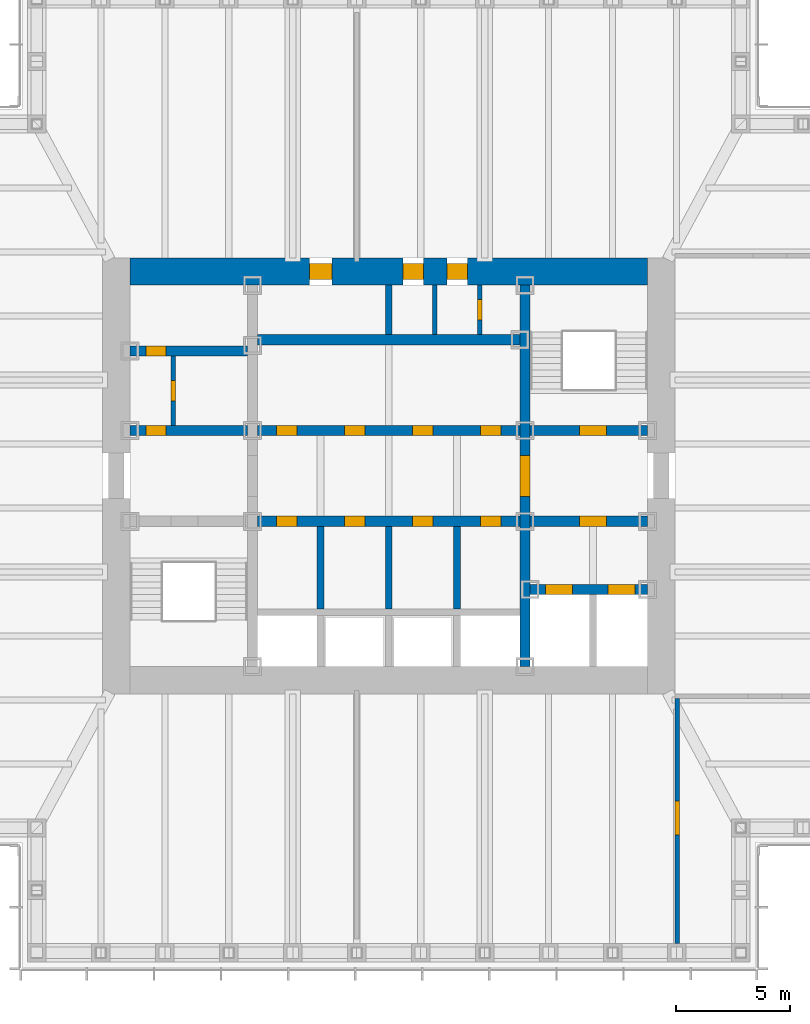
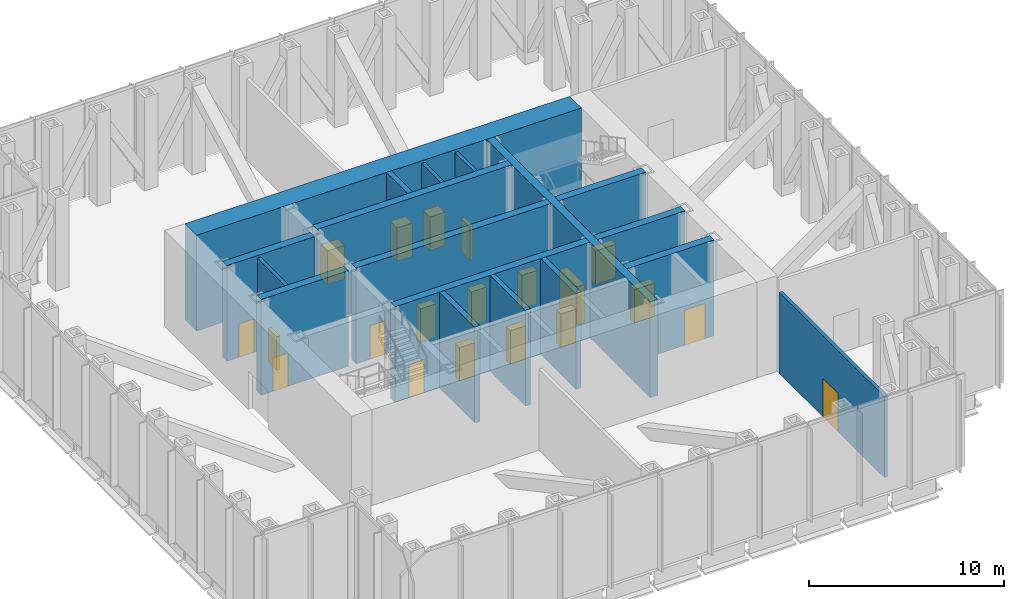
# One storey, part 7 of 12: 21 doors, 18 walls, 21 openings.
"""IFC4 building model written with IfcOpenShell, lengths in metres."""

from ifc_helpers import new_model, si_unit, direction, frame, frame_2d, origin, place, context, subcontext, project, spatial, rectangle, extrude, material, layer, layer_set, type_object, element, fill, save


model = new_model("IFC4")

# Units and contexts
model_context = context("Model", 3, precision=1e-05, world=origin(), true_north=direction((0.0, 1.0)))
body_context = subcontext(model_context, "Body", "Model", "MODEL_VIEW")
ifc_project = project(units=[si_unit("LENGTHUNIT", "METRE"), si_unit("AREAUNIT", "SQUARE_METRE"), si_unit("VOLUMEUNIT", "CUBIC_METRE"), si_unit("PLANEANGLEUNIT", "RADIAN"), si_unit("MASSUNIT", "GRAM", prefix="KILO")], contexts=[model_context])

# Site, building, storey
site_placement = place(None, origin())
site = spatial("IfcSite", under=ifc_project, at=site_placement, CompositionType="ELEMENT")
building_placement = place(site_placement, origin())
building = spatial("IfcBuilding", under=site, at=building_placement, Name="Daluyong Arena Tower", CompositionType="ELEMENT")
storey_placement = place(building_placement, frame((0.0, 0.0, 244.300048828125)))
storey = spatial("IfcBuildingStorey", under=building, at=storey_placement, Name="L55", CompositionType="ELEMENT", Elevation=244.300048828125)

# Wall, opening, door
ifc_material_1 = material(Name="Concrete fc' 45 MPa", Category="concrete")
ifc_layer_1 = layer(ifc_material_1, 0.449951171875)
ifc_layer_set_1 = layer_set([ifc_layer_1], Name="Concrete fc' 45 MPa")
wall_type_1 = type_object("IfcWallType", Name="Core inner wall 450", PredefinedType="SHEAR", material=ifc_layer_set_1)
wall_1_placement = place(storey_placement, frame((62.0, 71.60009765625, 0.0), z_axis=(0.0, 0.0, 1.0), x_axis=(0.0, 1.0, 0.0)))
wall_1 = element("IfcWall", 1, at=wall_1_placement, inside=storey, type_object=wall_type_1, Name="core inner wall at L55", PredefinedType="SHEAR", context=body_context, shape_type="SweptSolid", body=[
    extrude(rectangle(XDim=16.7998046875, YDim=0.449951171875, at=frame_2d((8.39990234375, 0.0))), origin(), (0.0, 0.0, 1.0), 6.0),
])
opening_1_placement = place(wall_1_placement, frame((7.5, 0.0, 0.0)))
opening_1 = element("IfcOpeningElement", 2, at=opening_1_placement, cuts=wall_1, Name="Opening 55021", PredefinedType="OPENING", context=body_context, shape_type="SweptSolid", body=[
    extrude(rectangle(XDim=1.800048828125, YDim=2.39990234375, at=frame_2d((0.89990234375, 1.199951171875))), frame((0.0, 0.23486328125, 0.0), z_axis=(0.0, -1.0, 0.0), x_axis=(1.0, 0.0, 0.0)), (0.0, 0.0, 1.0), 0.469970703125),
])
ifc_material_2 = material(Name="Steel door, fire rated", Category="steel")
door_type_1 = type_object("IfcDoorType", Name="Lift lobby opening door 1800", OperationType="DOUBLE_DOOR_SINGLE_SWING", PredefinedType="DOOR", material=ifc_material_2)
door_1_placement = place(opening_1_placement, origin())
door_1 = element("IfcDoor", 3, at=door_1_placement, inside=storey, type_object=door_type_1, Name="lift lobby door east 55021", OperationType="DOUBLE_DOOR_SINGLE_SWING", OverallHeight=2.39990234375, OverallWidth=1.800048828125, PredefinedType="DOOR", context=body_context, shape_type="SweptSolid", body=[
    extrude(rectangle(XDim=1.800048828125, YDim=2.39990234375, at=frame_2d((0.89990234375, 1.199951171875))), frame((0.0, 0.224609375, 0.0), z_axis=(0.0, -1.0, 0.0), x_axis=(1.0, 0.0, 0.0)), (0.0, 0.0, 1.0), 0.449462890625),
])
fill(opening_1, door_1)

wall_2_placement = place(storey_placement, frame((44.60009765625, 82.0, 0.0), z_axis=(0.0, 0.0, 1.0), x_axis=(1.0, 0.0, 0.0)))
wall_2 = element("IfcWall", 4, at=wall_2_placement, inside=storey, type_object=wall_type_1, Name="core inner wall at L55", PredefinedType="SHEAR", context=body_context, shape_type="SweptSolid", body=[
    extrude(rectangle(XDim=5.1748046875, YDim=0.449951171875, at=frame_2d((2.58740234375, 0.0))), origin(), (0.0, 0.0, 1.0), 6.0),
])
opening_2_placement = place(wall_2_placement, frame((0.699951171875, 0.0, 0.0)))
opening_2 = element("IfcOpeningElement", 5, at=opening_2_placement, cuts=wall_2, Name="Opening 55001", PredefinedType="OPENING", context=body_context, shape_type="SweptSolid", body=[
    extrude(rectangle(XDim=0.89990234375, YDim=2.10009765625, at=frame_2d((0.449951171875, 1.050048828125))), frame((0.0, 0.23486328125, 0.0), z_axis=(0.0, -1.0, 0.0), x_axis=(1.0, 0.0, 0.0)), (0.0, 0.0, 1.0), 0.469970703125),
])
ifc_material_3 = material(Name="Steel door, fire rated", Category="steel")
door_type_2 = type_object("IfcDoorType", Name="Core room door 900", OperationType="SINGLE_SWING_LEFT", PredefinedType="DOOR", material=ifc_material_3)
door_2_placement = place(opening_2_placement, origin())
door_2 = element("IfcDoor", 6, at=door_2_placement, inside=storey, type_object=door_type_2, Name="toilet lobby door 55001", OperationType="SINGLE_SWING_LEFT", OverallHeight=2.10009765625, OverallWidth=0.89990234375, PredefinedType="DOOR", context=body_context, shape_type="SweptSolid", body=[
    extrude(rectangle(XDim=0.89990234375, YDim=2.10009765625, at=frame_2d((0.449951171875, 1.050048828125))), frame((0.0, 0.224609375, 0.0), z_axis=(0.0, -1.0, 0.0), x_axis=(1.0, 0.0, 0.0)), (0.0, 0.0, 1.0), 0.449462890625),
])
fill(opening_2, door_2)

wall_3_placement = place(storey_placement, frame((44.60009765625, 85.5, 0.0), z_axis=(0.0, 0.0, 1.0), x_axis=(1.0, 0.0, 0.0)))
wall_3 = element("IfcWall", 7, at=wall_3_placement, inside=storey, type_object=wall_type_1, Name="core inner wall at L55", PredefinedType="SHEAR", context=body_context, shape_type="SweptSolid", body=[
    extrude(rectangle(XDim=5.1748046875, YDim=0.449951171875, at=frame_2d((2.58740234375, 0.0))), origin(), (0.0, 0.0, 1.0), 6.0),
])
opening_3_placement = place(wall_3_placement, frame((0.699951171875, 0.0, 0.0)))
opening_3 = element("IfcOpeningElement", 8, at=opening_3_placement, cuts=wall_3, Name="Opening 55003", PredefinedType="OPENING", context=body_context, shape_type="SweptSolid", body=[
    extrude(rectangle(XDim=0.89990234375, YDim=2.10009765625, at=frame_2d((0.449951171875, 1.050048828125))), frame((0.0, 0.23486328125, 0.0), z_axis=(0.0, -1.0, 0.0), x_axis=(1.0, 0.0, 0.0)), (0.0, 0.0, 1.0), 0.469970703125),
])
ifc_material_4 = material(Name="Timber door", Category="wood")
door_type_3 = type_object("IfcDoorType", Name="Toilet door 900", OperationType="SINGLE_SWING_RIGHT", PredefinedType="DOOR", material=ifc_material_4)
door_3_placement = place(opening_3_placement, origin())
door_3 = element("IfcDoor", 9, at=door_3_placement, inside=storey, type_object=door_type_3, Name="female toilet door 55003", OperationType="SINGLE_SWING_RIGHT", OverallHeight=2.10009765625, OverallWidth=0.89990234375, PredefinedType="DOOR", context=body_context, shape_type="SweptSolid", body=[
    extrude(rectangle(XDim=0.89990234375, YDim=2.10009765625, at=frame_2d((0.449951171875, 1.050048828125))), frame((0.0, 0.224609375, 0.0), z_axis=(0.0, -1.0, 0.0), x_axis=(1.0, 0.0, 0.0)), (0.0, 0.0, 1.0), 0.449462890625),
])
fill(opening_3, door_3)

# Wall, openings, doors
wall_4_placement = place(storey_placement, frame((62.22509765625, 75.0, 0.0), z_axis=(0.0, 0.0, 1.0), x_axis=(1.0, 0.0, 0.0)))
wall_4 = element("IfcWall", 10, at=wall_4_placement, inside=storey, type_object=wall_type_1, Name="core inner wall at L55", PredefinedType="SHEAR", context=body_context, shape_type="SweptSolid", body=[
    extrude(rectangle(XDim=5.1748046875, YDim=0.449951171875, at=frame_2d((2.58740234375, 0.0))), origin(), (0.0, 0.0, 1.0), 6.0),
])
opening_4_placement = place(wall_4_placement, frame((0.675048828125, 0.0, 0.0)))
opening_4 = element("IfcOpeningElement", 11, at=opening_4_placement, cuts=wall_4, Name="Opening 55023", PredefinedType="OPENING", context=body_context, shape_type="SweptSolid", body=[
    extrude(rectangle(XDim=1.199951171875, YDim=2.199951171875, at=frame_2d((0.60009765625, 1.10009765625))), frame((0.0, 0.23486328125, 0.0), z_axis=(0.0, -1.0, 0.0), x_axis=(1.0, 0.0, 0.0)), (0.0, 0.0, 1.0), 0.469970703125),
])
opening_5_placement = place(wall_4_placement, frame((3.425048828125, 0.0, 0.0)))
opening_5 = element("IfcOpeningElement", 12, at=opening_5_placement, cuts=wall_4, Name="Opening 55024", PredefinedType="OPENING", context=body_context, shape_type="SweptSolid", body=[
    extrude(rectangle(XDim=1.199951171875, YDim=2.199951171875, at=frame_2d((0.60009765625, 1.10009765625))), frame((0.0, 0.23486328125, 0.0), z_axis=(0.0, -1.0, 0.0), x_axis=(1.0, 0.0, 0.0)), (0.0, 0.0, 1.0), 0.469970703125),
])
ifc_material_5 = material(Name="Steel door, fire rated", Category="steel")
door_type_4 = type_object("IfcDoorType", Name="Firefighting lift landing door 1200", OperationType="SLIDING_TO_LEFT", PredefinedType="DOOR", material=ifc_material_5)
door_4_placement = place(opening_4_placement, origin())
door_4 = element("IfcDoor", 13, at=door_4_placement, inside=storey, type_object=door_type_4, Name="firefighting lift landing door F1 55023", OperationType="SLIDING_TO_LEFT", OverallHeight=2.199951171875, OverallWidth=1.199951171875, PredefinedType="DOOR", context=body_context, shape_type="SweptSolid", body=[
    extrude(rectangle(XDim=1.199951171875, YDim=2.199951171875, at=frame_2d((0.60009765625, 1.10009765625))), frame((0.0, 0.224609375, 0.0), z_axis=(0.0, -1.0, 0.0), x_axis=(1.0, 0.0, 0.0)), (0.0, 0.0, 1.0), 0.449462890625),
])
fill(opening_4, door_4)
door_5_placement = place(opening_5_placement, origin())
door_5 = element("IfcDoor", 14, at=door_5_placement, inside=storey, type_object=door_type_4, Name="firefighting lift landing door F2 55024", OperationType="SLIDING_TO_LEFT", OverallHeight=2.199951171875, OverallWidth=1.199951171875, PredefinedType="DOOR", context=body_context, shape_type="SweptSolid", body=[
    extrude(rectangle(XDim=1.199951171875, YDim=2.199951171875, at=frame_2d((0.60009765625, 1.10009765625))), frame((0.0, 0.224609375, 0.0), z_axis=(0.0, -1.0, 0.0), x_axis=(1.0, 0.0, 0.0)), (0.0, 0.0, 1.0), 0.449462890625),
])
fill(opening_5, door_5)

# Wall, opening, door
wall_5_placement = place(storey_placement, frame((62.22509765625, 78.0, 0.0), z_axis=(0.0, 0.0, 1.0), x_axis=(1.0, 0.0, 0.0)))
wall_5 = element("IfcWall", 15, at=wall_5_placement, inside=storey, type_object=wall_type_1, Name="core inner wall at L55", PredefinedType="SHEAR", context=body_context, shape_type="SweptSolid", body=[
    extrude(rectangle(XDim=5.1748046875, YDim=0.449951171875, at=frame_2d((2.58740234375, 0.0))), origin(), (0.0, 0.0, 1.0), 6.0),
])
opening_6_placement = place(wall_5_placement, frame((2.175048828125, 0.0, 0.0)))
opening_6 = element("IfcOpeningElement", 16, at=opening_6_placement, cuts=wall_5, Name="Opening 55022", PredefinedType="OPENING", context=body_context, shape_type="SweptSolid", body=[
    extrude(rectangle(XDim=1.199951171875, YDim=2.10009765625, at=frame_2d((0.60009765625, 1.050048828125))), frame((0.0, 0.23486328125, 0.0), z_axis=(0.0, -1.0, 0.0), x_axis=(1.0, 0.0, 0.0)), (0.0, 0.0, 1.0), 0.469970703125),
])
ifc_material_6 = material(Name="Steel door, fire rated", Category="steel")
door_type_5 = type_object("IfcDoorType", Name="Firefighting lobby door 1200", OperationType="SINGLE_SWING_RIGHT", PredefinedType="DOOR", material=ifc_material_6)
door_6_placement = place(opening_6_placement, origin())
door_6 = element("IfcDoor", 17, at=door_6_placement, inside=storey, type_object=door_type_5, Name="firefighting lobby door 55022", OperationType="SINGLE_SWING_RIGHT", OverallHeight=2.10009765625, OverallWidth=1.199951171875, PredefinedType="DOOR", context=body_context, shape_type="SweptSolid", body=[
    extrude(rectangle(XDim=1.199951171875, YDim=2.10009765625, at=frame_2d((0.60009765625, 1.050048828125))), frame((0.0, 0.224609375, 0.0), z_axis=(0.0, -1.0, 0.0), x_axis=(1.0, 0.0, 0.0)), (0.0, 0.0, 1.0), 0.449462890625),
])
fill(opening_6, door_6)

wall_6_placement = place(storey_placement, frame((62.22509765625, 82.0, 0.0), z_axis=(0.0, 0.0, 1.0), x_axis=(1.0, 0.0, 0.0)))
wall_6 = element("IfcWall", 18, at=wall_6_placement, inside=storey, type_object=wall_type_1, Name="core inner wall at L55", PredefinedType="SHEAR", context=body_context, shape_type="SweptSolid", body=[
    extrude(rectangle(XDim=5.1748046875, YDim=0.449951171875, at=frame_2d((2.58740234375, 0.0))), origin(), (0.0, 0.0, 1.0), 6.0),
])
opening_7_placement = place(wall_6_placement, frame((2.175048828125, 0.0, 0.0)))
opening_7 = element("IfcOpeningElement", 19, at=opening_7_placement, cuts=wall_6, Name="Opening 55017", PredefinedType="OPENING", context=body_context, shape_type="SweptSolid", body=[
    extrude(rectangle(XDim=1.199951171875, YDim=2.10009765625, at=frame_2d((0.60009765625, 1.050048828125))), frame((0.0, 0.23486328125, 0.0), z_axis=(0.0, -1.0, 0.0), x_axis=(1.0, 0.0, 0.0)), (0.0, 0.0, 1.0), 0.469970703125),
])
ifc_material_7 = material(Name="Steel door, fire rated", Category="steel")
door_type_6 = type_object("IfcDoorType", Name="Stair door 1200", OperationType="SINGLE_SWING_LEFT", PredefinedType="DOOR", material=ifc_material_7)
door_7_placement = place(opening_7_placement, origin())
door_7 = element("IfcDoor", 20, at=door_7_placement, inside=storey, type_object=door_type_6, Name="stair B door 55017", OperationType="SINGLE_SWING_LEFT", OverallHeight=2.10009765625, OverallWidth=1.199951171875, PredefinedType="DOOR", context=body_context, shape_type="SweptSolid", body=[
    extrude(rectangle(XDim=1.199951171875, YDim=2.10009765625, at=frame_2d((0.60009765625, 1.050048828125))), frame((0.0, 0.224609375, 0.0), z_axis=(0.0, -1.0, 0.0), x_axis=(1.0, 0.0, 0.0)), (0.0, 0.0, 1.0), 0.449462890625),
])
fill(opening_7, door_7)

# Wall, openings, doors
wall_7_placement = place(storey_placement, frame((50.22509765625, 78.0, 0.0), z_axis=(0.0, 0.0, 1.0), x_axis=(1.0, 0.0, 0.0)))
wall_7 = element("IfcWall", 21, at=wall_7_placement, inside=storey, type_object=wall_type_1, Name="core inner wall at L55", PredefinedType="SHEAR", context=body_context, shape_type="SweptSolid", body=[
    extrude(rectangle(XDim=11.5498046875, YDim=0.449951171875, at=frame_2d((5.77490234375, 0.0))), origin(), (0.0, 0.0, 1.0), 6.0),
])
opening_8_placement = place(wall_7_placement, frame((0.824951171875, 0.0, 0.0)))
opening_8 = element("IfcOpeningElement", 22, at=opening_8_placement, cuts=wall_7, Name="Opening 55008", PredefinedType="OPENING", context=body_context, shape_type="SweptSolid", body=[
    extrude(rectangle(XDim=0.89990234375, YDim=2.10009765625, at=frame_2d((0.449951171875, 1.050048828125))), frame((0.0, 0.23486328125, 0.0), z_axis=(0.0, -1.0, 0.0), x_axis=(1.0, 0.0, 0.0)), (0.0, 0.0, 1.0), 0.469970703125),
])
opening_9_placement = place(wall_7_placement, frame((3.824951171875, 0.0, 0.0)))
opening_9 = element("IfcOpeningElement", 23, at=opening_9_placement, cuts=wall_7, Name="Opening 55009", PredefinedType="OPENING", context=body_context, shape_type="SweptSolid", body=[
    extrude(rectangle(XDim=0.89990234375, YDim=2.10009765625, at=frame_2d((0.449951171875, 1.050048828125))), frame((0.0, 0.23486328125, 0.0), z_axis=(0.0, -1.0, 0.0), x_axis=(1.0, 0.0, 0.0)), (0.0, 0.0, 1.0), 0.469970703125),
])
opening_10_placement = place(wall_7_placement, frame((6.824951171875, 0.0, 0.0)))
opening_10 = element("IfcOpeningElement", 24, at=opening_10_placement, cuts=wall_7, Name="Opening 55010", PredefinedType="OPENING", context=body_context, shape_type="SweptSolid", body=[
    extrude(rectangle(XDim=0.89990234375, YDim=2.10009765625, at=frame_2d((0.449951171875, 1.050048828125))), frame((0.0, 0.23486328125, 0.0), z_axis=(0.0, -1.0, 0.0), x_axis=(1.0, 0.0, 0.0)), (0.0, 0.0, 1.0), 0.469970703125),
])
opening_11_placement = place(wall_7_placement, frame((9.824951171875, 0.0, 0.0)))
opening_11 = element("IfcOpeningElement", 25, at=opening_11_placement, cuts=wall_7, Name="Opening 55011", PredefinedType="OPENING", context=body_context, shape_type="SweptSolid", body=[
    extrude(rectangle(XDim=0.89990234375, YDim=2.10009765625, at=frame_2d((0.449951171875, 1.050048828125))), frame((0.0, 0.23486328125, 0.0), z_axis=(0.0, -1.0, 0.0), x_axis=(1.0, 0.0, 0.0)), (0.0, 0.0, 1.0), 0.469970703125),
])
ifc_material_8 = material(Name="Steel door, fire rated", Category="steel")
door_type_7 = type_object("IfcDoorType", Name="Core store door 900", OperationType="SINGLE_SWING_LEFT", PredefinedType="DOOR", material=ifc_material_8)
door_8_placement = place(opening_10_placement, origin())
door_8 = element("IfcDoor", 26, at=door_8_placement, inside=storey, type_object=door_type_7, Name="maintenance store door 55010", OperationType="SINGLE_SWING_LEFT", OverallHeight=2.10009765625, OverallWidth=0.89990234375, PredefinedType="DOOR", context=body_context, shape_type="SweptSolid", body=[
    extrude(rectangle(XDim=0.89990234375, YDim=2.10009765625, at=frame_2d((0.449951171875, 1.050048828125))), frame((0.0, 0.224609375, 0.0), z_axis=(0.0, -1.0, 0.0), x_axis=(1.0, 0.0, 0.0)), (0.0, 0.0, 1.0), 0.449462890625),
])
fill(opening_10, door_8)
door_9_placement = place(opening_11_placement, origin())
door_9 = element("IfcDoor", 27, at=door_9_placement, inside=storey, type_object=door_type_7, Name="plant spares store door 55011", OperationType="SINGLE_SWING_LEFT", OverallHeight=2.10009765625, OverallWidth=0.89990234375, PredefinedType="DOOR", context=body_context, shape_type="SweptSolid", body=[
    extrude(rectangle(XDim=0.89990234375, YDim=2.10009765625, at=frame_2d((0.449951171875, 1.050048828125))), frame((0.0, 0.224609375, 0.0), z_axis=(0.0, -1.0, 0.0), x_axis=(1.0, 0.0, 0.0)), (0.0, 0.0, 1.0), 0.449462890625),
])
fill(opening_11, door_9)
ifc_material_9 = material(Name="Steel door, fire rated", Category="steel")
door_type_8 = type_object("IfcDoorType", Name="Plant room door 900", OperationType="SINGLE_SWING_LEFT", PredefinedType="DOOR", material=ifc_material_9)
door_10_placement = place(opening_8_placement, origin())
door_10 = element("IfcDoor", 28, at=door_10_placement, inside=storey, type_object=door_type_8, Name="electrical switch room door 55008", OperationType="SINGLE_SWING_LEFT", OverallHeight=2.10009765625, OverallWidth=0.89990234375, PredefinedType="DOOR", context=body_context, shape_type="SweptSolid", body=[
    extrude(rectangle(XDim=0.89990234375, YDim=2.10009765625, at=frame_2d((0.449951171875, 1.050048828125))), frame((0.0, 0.224609375, 0.0), z_axis=(0.0, -1.0, 0.0), x_axis=(1.0, 0.0, 0.0)), (0.0, 0.0, 1.0), 0.449462890625),
])
fill(opening_8, door_10)
door_11_placement = place(opening_9_placement, origin())
door_11 = element("IfcDoor", 29, at=door_11_placement, inside=storey, type_object=door_type_8, Name="comms room door 55009", OperationType="SINGLE_SWING_LEFT", OverallHeight=2.10009765625, OverallWidth=0.89990234375, PredefinedType="DOOR", context=body_context, shape_type="SweptSolid", body=[
    extrude(rectangle(XDim=0.89990234375, YDim=2.10009765625, at=frame_2d((0.449951171875, 1.050048828125))), frame((0.0, 0.224609375, 0.0), z_axis=(0.0, -1.0, 0.0), x_axis=(1.0, 0.0, 0.0)), (0.0, 0.0, 1.0), 0.449462890625),
])
fill(opening_9, door_11)

wall_8_placement = place(storey_placement, frame((50.22509765625, 82.0, 0.0), z_axis=(0.0, 0.0, 1.0), x_axis=(1.0, 0.0, 0.0)))
wall_8 = element("IfcWall", 30, at=wall_8_placement, inside=storey, type_object=wall_type_1, Name="core inner wall at L55", PredefinedType="SHEAR", context=body_context, shape_type="SweptSolid", body=[
    extrude(rectangle(XDim=11.5498046875, YDim=0.449951171875, at=frame_2d((5.77490234375, 0.0))), origin(), (0.0, 0.0, 1.0), 6.0),
])
opening_12_placement = place(wall_8_placement, frame((0.824951171875, 0.0, 0.0)))
opening_12 = element("IfcOpeningElement", 31, at=opening_12_placement, cuts=wall_8, Name="Opening 55012", PredefinedType="OPENING", context=body_context, shape_type="SweptSolid", body=[
    extrude(rectangle(XDim=0.89990234375, YDim=2.10009765625, at=frame_2d((0.449951171875, 1.050048828125))), frame((0.0, 0.23486328125, 0.0), z_axis=(0.0, -1.0, 0.0), x_axis=(1.0, 0.0, 0.0)), (0.0, 0.0, 1.0), 0.469970703125),
])
opening_13_placement = place(wall_8_placement, frame((3.824951171875, 0.0, 0.0)))
opening_13 = element("IfcOpeningElement", 32, at=opening_13_placement, cuts=wall_8, Name="Opening 55013", PredefinedType="OPENING", context=body_context, shape_type="SweptSolid", body=[
    extrude(rectangle(XDim=0.89990234375, YDim=2.10009765625, at=frame_2d((0.449951171875, 1.050048828125))), frame((0.0, 0.23486328125, 0.0), z_axis=(0.0, -1.0, 0.0), x_axis=(1.0, 0.0, 0.0)), (0.0, 0.0, 1.0), 0.469970703125),
])
opening_14_placement = place(wall_8_placement, frame((6.824951171875, 0.0, 0.0)))
opening_14 = element("IfcOpeningElement", 33, at=opening_14_placement, cuts=wall_8, Name="Opening 55014", PredefinedType="OPENING", context=body_context, shape_type="SweptSolid", body=[
    extrude(rectangle(XDim=0.89990234375, YDim=2.10009765625, at=frame_2d((0.449951171875, 1.050048828125))), frame((0.0, 0.23486328125, 0.0), z_axis=(0.0, -1.0, 0.0), x_axis=(1.0, 0.0, 0.0)), (0.0, 0.0, 1.0), 0.469970703125),
])
opening_15_placement = place(wall_8_placement, frame((9.824951171875, 0.0, 0.0)))
opening_15 = element("IfcOpeningElement", 34, at=opening_15_placement, cuts=wall_8, Name="Opening 55015", PredefinedType="OPENING", context=body_context, shape_type="SweptSolid", body=[
    extrude(rectangle(XDim=0.89990234375, YDim=2.10009765625, at=frame_2d((0.449951171875, 1.050048828125))), frame((0.0, 0.23486328125, 0.0), z_axis=(0.0, -1.0, 0.0), x_axis=(1.0, 0.0, 0.0)), (0.0, 0.0, 1.0), 0.469970703125),
])
door_12_placement = place(opening_12_placement, origin())
door_12 = element("IfcDoor", 35, at=door_12_placement, inside=storey, type_object=door_type_8, Name="stair a pressurisation plant room door 55012", OperationType="SINGLE_SWING_LEFT", OverallHeight=2.10009765625, OverallWidth=0.89990234375, PredefinedType="DOOR", context=body_context, shape_type="SweptSolid", body=[
    extrude(rectangle(XDim=0.89990234375, YDim=2.10009765625, at=frame_2d((0.449951171875, 1.050048828125))), frame((0.0, 0.224609375, 0.0), z_axis=(0.0, -1.0, 0.0), x_axis=(1.0, 0.0, 0.0)), (0.0, 0.0, 1.0), 0.449462890625),
])
fill(opening_12, door_12)
door_13_placement = place(opening_13_placement, origin())
door_13 = element("IfcDoor", 36, at=door_13_placement, inside=storey, type_object=door_type_8, Name="lobby pressurisation plant room door 55013", OperationType="SINGLE_SWING_LEFT", OverallHeight=2.10009765625, OverallWidth=0.89990234375, PredefinedType="DOOR", context=body_context, shape_type="SweptSolid", body=[
    extrude(rectangle(XDim=0.89990234375, YDim=2.10009765625, at=frame_2d((0.449951171875, 1.050048828125))), frame((0.0, 0.224609375, 0.0), z_axis=(0.0, -1.0, 0.0), x_axis=(1.0, 0.0, 0.0)), (0.0, 0.0, 1.0), 0.449462890625),
])
fill(opening_13, door_13)
door_14_placement = place(opening_14_placement, origin())
door_14 = element("IfcDoor", 37, at=door_14_placement, inside=storey, type_object=door_type_8, Name="lift shaft pressurisation plant room door 55014", OperationType="SINGLE_SWING_LEFT", OverallHeight=2.10009765625, OverallWidth=0.89990234375, PredefinedType="DOOR", context=body_context, shape_type="SweptSolid", body=[
    extrude(rectangle(XDim=0.89990234375, YDim=2.10009765625, at=frame_2d((0.449951171875, 1.050048828125))), frame((0.0, 0.224609375, 0.0), z_axis=(0.0, -1.0, 0.0), x_axis=(1.0, 0.0, 0.0)), (0.0, 0.0, 1.0), 0.449462890625),
])
fill(opening_14, door_14)
door_15_placement = place(opening_15_placement, origin())
door_15 = element("IfcDoor", 38, at=door_15_placement, inside=storey, type_object=door_type_8, Name="stair b pressurisation plant room door 55015", OperationType="SINGLE_SWING_LEFT", OverallHeight=2.10009765625, OverallWidth=0.89990234375, PredefinedType="DOOR", context=body_context, shape_type="SweptSolid", body=[
    extrude(rectangle(XDim=0.89990234375, YDim=2.10009765625, at=frame_2d((0.449951171875, 1.050048828125))), frame((0.0, 0.224609375, 0.0), z_axis=(0.0, -1.0, 0.0), x_axis=(1.0, 0.0, 0.0)), (0.0, 0.0, 1.0), 0.449462890625),
])
fill(opening_15, door_15)

# Wall
wall_9_placement = place(storey_placement, frame((50.22509765625, 86.0, 0.0), z_axis=(0.0, 0.0, 1.0), x_axis=(1.0, 0.0, 0.0)))
element("IfcWall", 39, at=wall_9_placement, inside=storey, type_object=wall_type_1, Name="core inner wall at L55", PredefinedType="SHEAR", context=body_context, shape_type="SweptSolid", body=[
    extrude(rectangle(XDim=11.5498046875, YDim=0.449951171875, at=frame_2d((5.77490234375, 0.0))), origin(), (0.0, 0.0, 1.0), 6.0),
])

# Wall, openings, doors
ifc_material_10 = material(Name="Concrete fc' 60 MPa", Category="concrete")
ifc_layer_2 = layer(ifc_material_10, 1.199951171875)
ifc_layer_set_2 = layer_set([ifc_layer_2], Name="Concrete fc' 60 MPa")
wall_type_2 = type_object("IfcWallType", Name="Core wall 1200", PredefinedType="SHEAR", material=ifc_layer_set_2)
wall_10_placement = place(storey_placement, frame((44.60009765625, 89.0, 0.0), z_axis=(0.0, 0.0, 1.0), x_axis=(1.0, 0.0, 0.0)))
wall_10 = element("IfcWall", 40, at=wall_10_placement, inside=storey, type_object=wall_type_2, Name="core wall at L55", PredefinedType="SHEAR", context=body_context, shape_type="SweptSolid", body=[
    extrude(rectangle(XDim=22.7998046875, YDim=1.199951171875, at=frame_2d((11.39990234375, 0.0))), origin(), (0.0, 0.0, 1.0), 6.0),
])
opening_16_placement = place(wall_10_placement, frame((7.89990234375, 0.0, 0.0)))
opening_16 = element("IfcOpeningElement", 41, at=opening_16_placement, cuts=wall_10, Name="Opening 55004", PredefinedType="OPENING", context=body_context, shape_type="SweptSolid", body=[
    extrude(rectangle(XDim=1.0, YDim=2.10009765625, at=frame_2d((0.5, 1.050048828125))), frame((0.0, 0.60986328125, 0.0), z_axis=(0.0, -1.0, 0.0), x_axis=(1.0, 0.0, 0.0)), (0.0, 0.0, 1.0), 1.219970703125),
])
opening_17_placement = place(wall_10_placement, frame((12.02490234375, 0.0, 0.0)))
opening_17 = element("IfcOpeningElement", 42, at=opening_17_placement, cuts=wall_10, Name="Opening 55005", PredefinedType="OPENING", context=body_context, shape_type="SweptSolid", body=[
    extrude(rectangle(XDim=0.89990234375, YDim=2.10009765625, at=frame_2d((0.449951171875, 1.050048828125))), frame((0.0, 0.60986328125, 0.0), z_axis=(0.0, -1.0, 0.0), x_axis=(1.0, 0.0, 0.0)), (0.0, 0.0, 1.0), 1.219970703125),
])
opening_18_placement = place(wall_10_placement, frame((13.96240234375, 0.0, 0.0)))
opening_18 = element("IfcOpeningElement", 43, at=opening_18_placement, cuts=wall_10, Name="Opening 55006", PredefinedType="OPENING", context=body_context, shape_type="SweptSolid", body=[
    extrude(rectangle(XDim=0.89990234375, YDim=2.10009765625, at=frame_2d((0.449951171875, 1.050048828125))), frame((0.0, 0.60986328125, 0.0), z_axis=(0.0, -1.0, 0.0), x_axis=(1.0, 0.0, 0.0)), (0.0, 0.0, 1.0), 1.219970703125),
])
ifc_material_11 = material(Name="Timber door", Category="wood")
door_type_9 = type_object("IfcDoorType", Name="Accessible toilet door 1000", OperationType="SINGLE_SWING_LEFT", PredefinedType="DOOR", material=ifc_material_11)
door_16_placement = place(opening_16_placement, origin())
door_16 = element("IfcDoor", 44, at=door_16_placement, inside=storey, type_object=door_type_9, Name="accessible toilet door 55004", OperationType="SINGLE_SWING_LEFT", OverallHeight=2.10009765625, OverallWidth=1.0, PredefinedType="DOOR", context=body_context, shape_type="SweptSolid", body=[
    extrude(rectangle(XDim=1.0, YDim=2.10009765625, at=frame_2d((0.5, 1.050048828125))), frame((0.0, 0.35009765625, 0.0), z_axis=(0.0, -1.0, 0.0), x_axis=(1.0, 0.0, 0.0)), (0.0, 0.0, 1.0), 0.699951171875),
])
fill(opening_16, door_16)
door_17_placement = place(opening_17_placement, origin())
door_17 = element("IfcDoor", 45, at=door_17_placement, inside=storey, type_object=door_type_7, Name="cleaner's store door 55005", OperationType="SINGLE_SWING_LEFT", OverallHeight=2.10009765625, OverallWidth=0.89990234375, PredefinedType="DOOR", context=body_context, shape_type="SweptSolid", body=[
    extrude(rectangle(XDim=0.89990234375, YDim=2.10009765625, at=frame_2d((0.449951171875, 1.050048828125))), frame((0.0, 0.35009765625, 0.0), z_axis=(0.0, -1.0, 0.0), x_axis=(1.0, 0.0, 0.0)), (0.0, 0.0, 1.0), 0.699951171875),
])
fill(opening_17, door_17)
door_18_placement = place(opening_18_placement, origin())
door_18 = element("IfcDoor", 46, at=door_18_placement, inside=storey, type_object=door_type_7, Name="facilities store door 55006", OperationType="SINGLE_SWING_LEFT", OverallHeight=2.10009765625, OverallWidth=0.89990234375, PredefinedType="DOOR", context=body_context, shape_type="SweptSolid", body=[
    extrude(rectangle(XDim=0.89990234375, YDim=2.10009765625, at=frame_2d((0.449951171875, 1.050048828125))), frame((0.0, 0.35009765625, 0.0), z_axis=(0.0, -1.0, 0.0), x_axis=(1.0, 0.0, 0.0)), (0.0, 0.0, 1.0), 0.699951171875),
])
fill(opening_18, door_18)

# Wall, opening, door
ifc_material_12 = material(Name="Concrete block partition, fire rated", Category="concrete")
ifc_layer_3 = layer(ifc_material_12, 0.199951171875)
ifc_layer_set_3 = layer_set([ifc_layer_3], Name="Concrete block partition, fire rated")
wall_type_3 = type_object("IfcWallType", Name="Fire-rated partition 200", PredefinedType="PARTITIONING", material=ifc_layer_set_3)
wall_11_placement = place(storey_placement, frame((46.5, 82.22509765625, 0.0), z_axis=(0.0, 0.0, 1.0), x_axis=(0.0, 1.0, 0.0)))
wall_11 = element("IfcWall", 47, at=wall_11_placement, inside=storey, type_object=wall_type_3, Name="toilet lobby partition at L55", PredefinedType="PARTITIONING", context=body_context, shape_type="SweptSolid", body=[
    extrude(rectangle(XDim=3.0498046875, YDim=0.199951171875, at=frame_2d((1.52490234375, 0.0))), origin(), (0.0, 0.0, 1.0), 5.83984375),
])
opening_19_placement = place(wall_11_placement, frame((1.074951171875, 0.0, 0.0)))
opening_19 = element("IfcOpeningElement", 48, at=opening_19_placement, cuts=wall_11, Name="Opening 55002", PredefinedType="OPENING", context=body_context, shape_type="SweptSolid", body=[
    extrude(rectangle(XDim=0.89990234375, YDim=2.10009765625, at=frame_2d((0.449951171875, 1.050048828125))), frame((0.0, 0.10986328125, 0.0), z_axis=(0.0, -1.0, 0.0), x_axis=(1.0, 0.0, 0.0)), (0.0, 0.0, 1.0), 0.219970703125),
])
door_19_placement = place(opening_19_placement, origin())
door_19 = element("IfcDoor", 49, at=door_19_placement, inside=storey, type_object=door_type_3, Name="male toilet door 55002", OperationType="SINGLE_SWING_RIGHT", OverallHeight=2.10009765625, OverallWidth=0.89990234375, PredefinedType="DOOR", context=body_context, shape_type="SweptSolid", body=[
    extrude(rectangle(XDim=0.89990234375, YDim=2.10009765625, at=frame_2d((0.449951171875, 1.050048828125))), frame((0.0, 0.099609375, 0.0), z_axis=(0.0, -1.0, 0.0), x_axis=(1.0, 0.0, 0.0)), (0.0, 0.0, 1.0), 0.199462890625),
])
fill(opening_19, door_19)

wall_12_placement = place(storey_placement, frame((60.0, 86.22509765625, 0.0), z_axis=(0.0, 0.0, 1.0), x_axis=(0.0, 1.0, 0.0)))
wall_12 = element("IfcWall", 50, at=wall_12_placement, inside=storey, type_object=wall_type_3, Name="electrical riser enclosure at L55", PredefinedType="PARTITIONING", context=body_context, shape_type="SweptSolid", body=[
    extrude(rectangle(XDim=2.1748046875, YDim=0.199951171875, at=frame_2d((1.08740234375, 0.0))), origin(), (0.0, 0.0, 1.0), 5.83984375),
])
opening_20_placement = place(wall_12_placement, frame((0.637451171875, 0.0, 0.0)))
opening_20 = element("IfcOpeningElement", 51, at=opening_20_placement, cuts=wall_12, Name="Opening 55007", PredefinedType="OPENING", context=body_context, shape_type="SweptSolid", body=[
    extrude(rectangle(XDim=0.89990234375, YDim=2.10009765625, at=frame_2d((0.449951171875, 1.050048828125))), frame((0.0, 0.10986328125, 0.0), z_axis=(0.0, -1.0, 0.0), x_axis=(1.0, 0.0, 0.0)), (0.0, 0.0, 1.0), 0.219970703125),
])
ifc_material_13 = material(Name="Steel door, fire rated", Category="steel")
door_type_10 = type_object("IfcDoorType", Name="Riser door 900", OperationType="SINGLE_SWING_LEFT", PredefinedType="DOOR", material=ifc_material_13)
door_20_placement = place(opening_20_placement, origin())
door_20 = element("IfcDoor", 52, at=door_20_placement, inside=storey, type_object=door_type_10, Name="riser door 55007", OperationType="SINGLE_SWING_LEFT", OverallHeight=2.10009765625, OverallWidth=0.89990234375, PredefinedType="DOOR", context=body_context, shape_type="SweptSolid", body=[
    extrude(rectangle(XDim=0.89990234375, YDim=2.10009765625, at=frame_2d((0.449951171875, 1.050048828125))), frame((0.0, 0.099609375, 0.0), z_axis=(0.0, -1.0, 0.0), x_axis=(1.0, 0.0, 0.0)), (0.0, 0.0, 1.0), 0.199462890625),
])
fill(opening_20, door_20)

# Wall
wall_13_placement = place(storey_placement, frame((58.02490234375, 86.22509765625, 0.0), z_axis=(0.0, 0.0, 1.0), x_axis=(0.0, 1.0, 0.0)))
element("IfcWall", 53, at=wall_13_placement, inside=storey, type_object=wall_type_3, Name="core room partition at L55", PredefinedType="PARTITIONING", context=body_context, shape_type="SweptSolid", body=[
    extrude(rectangle(XDim=2.1748046875, YDim=0.199951171875, at=frame_2d((1.08740234375, 0.0))), origin(), (0.0, 0.0, 1.0), 5.83984375),
])

# Wall, opening, door
wall_14_placement = place(storey_placement, frame((68.699951171875, 70.199951171875, 0.0), z_axis=(0.0, 0.0, 1.0), x_axis=(0.0, -1.0, 0.0)))
wall_14 = element("IfcWall", 54, at=wall_14_placement, inside=storey, type_object=wall_type_3, Name="plant room partition at L55", PredefinedType="PARTITIONING", context=body_context, shape_type="SweptSolid", body=[
    extrude(rectangle(XDim=10.800048828125, YDim=0.199951171875, at=frame_2d((5.39990234375, 0.0))), origin(), (0.0, 0.0, 1.0), 5.077880859375),
])
opening_21_placement = place(wall_14_placement, frame((4.52490234375, 0.0, 0.0)))
opening_21 = element("IfcOpeningElement", 55, at=opening_21_placement, cuts=wall_14, Name="Opening 55027", PredefinedType="OPENING", context=body_context, shape_type="SweptSolid", body=[
    extrude(rectangle(XDim=1.5, YDim=2.39990234375, at=frame_2d((0.75, 1.199951171875))), frame((0.0, 0.10986328125, 0.0), z_axis=(0.0, -1.0, 0.0), x_axis=(1.0, 0.0, 0.0)), (0.0, 0.0, 1.0), 0.219970703125),
])
ifc_material_14 = material(Name="Steel door, fire rated", Category="steel")
door_type_11 = type_object("IfcDoorType", Name="Plant room door 1500", OperationType="DOUBLE_DOOR_SINGLE_SWING", PredefinedType="DOOR", material=ifc_material_14)
door_21_placement = place(opening_21_placement, origin())
door_21 = element("IfcDoor", 56, at=door_21_placement, inside=storey, type_object=door_type_11, Name="air handling plant room door 55027", OperationType="DOUBLE_DOOR_SINGLE_SWING", OverallHeight=2.39990234375, OverallWidth=1.5, PredefinedType="DOOR", context=body_context, shape_type="SweptSolid", body=[
    extrude(rectangle(XDim=1.5, YDim=2.39990234375, at=frame_2d((0.75, 1.199951171875))), frame((0.0, 0.099609375, 0.0), z_axis=(0.0, -1.0, 0.0), x_axis=(1.0, 0.0, 0.0)), (0.0, 0.0, 1.0), 0.199462890625),
])
fill(opening_21, door_21)

# Walls
ifc_material_15 = material(Name="Concrete fc' 45 MPa", Category="concrete")
ifc_layer_4 = layer(ifc_material_15, 0.300048828125)
ifc_layer_set_4 = layer_set([ifc_layer_4], Name="Concrete fc' 45 MPa")
wall_type_4 = type_object("IfcWallType", Name="Lift shaft wall 300", PredefinedType="SHEAR", material=ifc_layer_set_4)
for number, where, z_axis, x_axis, name in (
    (57, (53.0, 74.14990234375, 0.0), (0.0, 0.0, 1.0), (0.0, 1.0, 0.0), "lift shaft wall at L55"),
    (58, (56.0, 74.14990234375, 0.0), (0.0, 0.0, 1.0), (0.0, 1.0, 0.0), "lift shaft wall at L55"),
    (59, (59.0, 74.14990234375, 0.0), (0.0, 0.0, 1.0), (0.0, 1.0, 0.0), "lift shaft wall at L55"),
):
    element("IfcWall", number, at=place(storey_placement, frame(where, z_axis=z_axis, x_axis=x_axis)), inside=storey, type_object=wall_type_4, Name=name, PredefinedType="SHEAR", context=body_context, shape_type="SweptSolid", body=[
        extrude(rectangle(XDim=3.625, YDim=0.300048828125, at=frame_2d((1.8125, 0.0))), origin(), (0.0, 0.0, 1.0), 6.0),
    ])
wall_15_placement = place(storey_placement, frame((56.0, 86.22509765625, 0.0), z_axis=(0.0, 0.0, 1.0), x_axis=(0.0, 1.0, 0.0)))
element("IfcWall", 60, at=wall_15_placement, inside=storey, type_object=wall_type_4, Name="lift shaft wall at L55", PredefinedType="SHEAR", context=body_context, shape_type="SweptSolid", body=[
    extrude(rectangle(XDim=2.1748046875, YDim=0.300048828125, at=frame_2d((1.08740234375, 0.0))), origin(), (0.0, 0.0, 1.0), 6.0),
])

save(model, "model.ifc")
